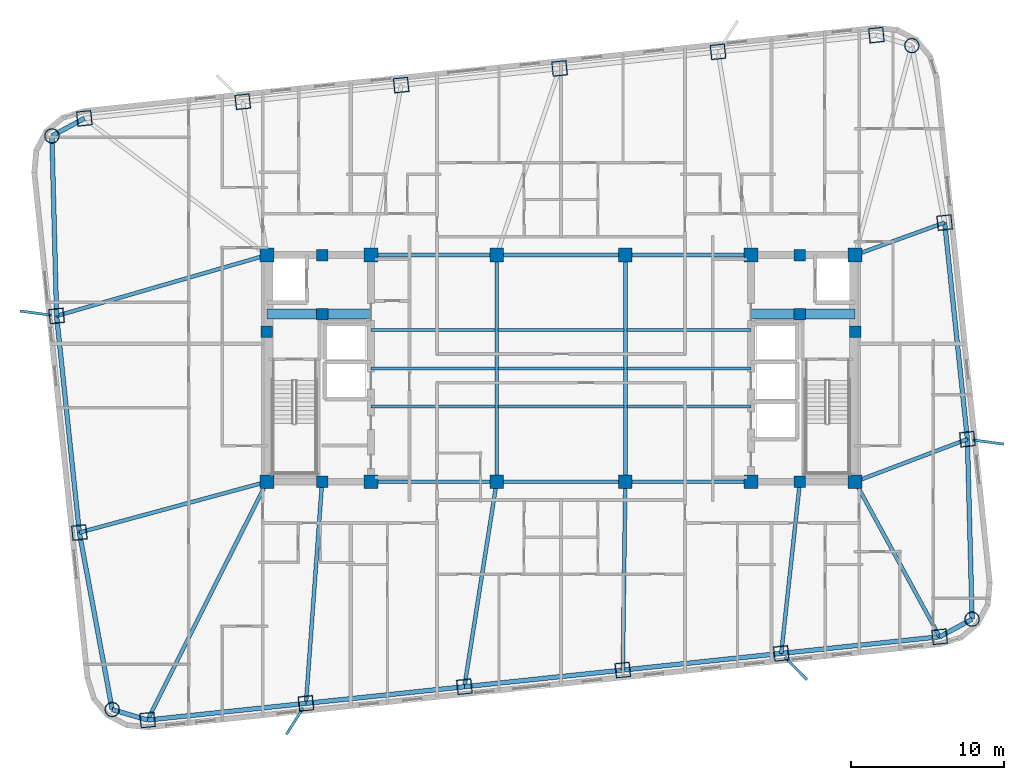
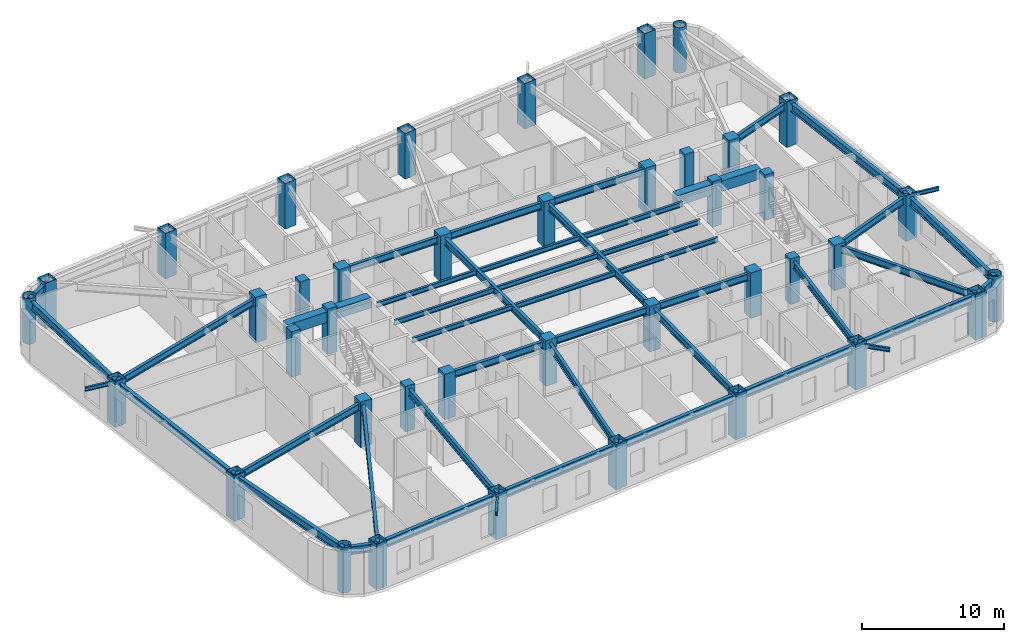
# One storey, part 1 of 12: 46 beams, 40 columns.
"""IFC4 building model written with IfcOpenShell, lengths in metres."""

import ifcopenshell
import ifcopenshell.guid

model = None  # the IFC model being written
_history = None  # IfcOwnerHistory: only IFC2X3 demands one
_inside = {}  # id of a spatial element -> (the spatial element, [elements in it])
_under = {}  # id of a project, library or spatial element -> (it, [spatial elements below it])
_declared = {}  # id of a project -> (the project, [libraries it declares])
_typed = {}  # id of a type object -> (the type object, [elements of that type])
_made_of = {}  # id of a material, layer set ... -> (it, [elements and type objects made of it])


def new_model(schema):
    """Start an empty IFC model of exactly this schema.

    Asked for "IFC4X3", IfcOpenShell would pick the latest addendum, in which some entities
    have other attributes; the version numbers below select the first issue.
    IFC2X3 requires an IfcOwnerHistory on every rooted entity: one is made here for all.
    """
    global model, _history
    if schema == "IFC4X3":
        model = ifcopenshell.file(schema_version=(4, 3, 0, 0))
    else:
        model = ifcopenshell.file(schema=schema)
    _inside.clear()
    _under.clear()
    _declared.clear()
    _typed.clear()
    _made_of.clear()
    _history = None
    if model.schema == "IFC2X3":
        org = make("IfcOrganization", Name="unknown")
        user = make(
            "IfcPersonAndOrganization",
            ThePerson=make("IfcPerson", FamilyName="unknown"),
            TheOrganization=org,
        )
        app = make(
            "IfcApplication",
            ApplicationDeveloper=org,
            Version="unknown",
            ApplicationFullName="unknown",
            ApplicationIdentifier="unknown",
        )
        _history = make(
            "IfcOwnerHistory",
            OwningUser=user,
            OwningApplication=app,
            ChangeAction="ADDED",
            CreationDate=0,
        )
    return model


def make(cls, **values):
    """One entity of the class cls with the attributes given. An attribute that is None is left unset."""
    return model.create_entity(
        cls, **{name: value for name, value in values.items() if value is not None}
    )


def rooted(cls, **values):
    """An entity with a GlobalId (a new one), such as an element, a storey or a relation."""
    return make(cls, GlobalId=ifcopenshell.guid.new(), OwnerHistory=_history, **values)


def si_unit(unit_type, name, prefix=None):
    """IfcSIUnit, for example si_unit("LENGTHUNIT", "METRE", prefix="MILLI")."""
    return make("IfcSIUnit", UnitType=unit_type, Prefix=prefix, Name=name)


def assignment(units):
    """IfcUnitAssignment: the units of a project."""
    return None if units is None else make("IfcUnitAssignment", Units=units)


def point(xyz):
    """IfcCartesianPoint."""
    return None if xyz is None else make("IfcCartesianPoint", Coordinates=xyz)


def direction(xyz):
    """IfcDirection."""
    return None if xyz is None else make("IfcDirection", DirectionRatios=xyz)


def frame(location, z_axis=None, x_axis=None):
    """IfcAxis2Placement3D, a coordinate frame: its origin and axes. An axis left out is left unset."""
    return make(
        "IfcAxis2Placement3D",
        Location=point(location),
        Axis=direction(z_axis),
        RefDirection=direction(x_axis),
    )


def frame_2d(location, x_axis=None):
    """IfcAxis2Placement2D, a coordinate frame in the plane: its origin and x axis."""
    return make(
        "IfcAxis2Placement2D", Location=point(location), RefDirection=direction(x_axis)
    )


def origin():
    """The frame at (0, 0, 0) with its axes left unset."""
    return frame((0.0, 0.0, 0.0))


def origin_2d():
    """The frame at (0, 0) in the plane with its x axis left unset."""
    return frame_2d((0.0, 0.0))


def place(relative_to, where):
    """IfcLocalPlacement: puts the frame where relative to a parent placement (None: the world)."""
    return make(
        "IfcLocalPlacement", PlacementRelTo=relative_to, RelativePlacement=where
    )


def context(
    kind, dimensions, precision=None, world=None, true_north=None, identifier=None
):
    """IfcGeometricRepresentationContext, for example the 3D "Model" context."""
    return make(
        "IfcGeometricRepresentationContext",
        ContextIdentifier=identifier,
        ContextType=kind,
        CoordinateSpaceDimension=dimensions,
        Precision=precision,
        WorldCoordinateSystem=world,
        TrueNorth=true_north,
    )


def subcontext(parent, identifier, kind, view, scale=None):
    """IfcGeometricRepresentationSubContext, for example "Body" below "Model"."""
    return make(
        "IfcGeometricRepresentationSubContext",
        ContextIdentifier=identifier,
        ContextType=kind,
        ParentContext=parent,
        TargetScale=scale,
        TargetView=view,
    )


def project(units=None, contexts=None):
    """IfcProject with its units and contexts."""
    return rooted(
        "IfcProject",
        Name="project",
        RepresentationContexts=contexts,
        UnitsInContext=assignment(units),
    )


def spatial(cls, under=None, at=None, **own):
    """A site, building, storey or space (cls), placed at a placement, below another one or the project."""
    s = rooted(cls, ObjectPlacement=at, **own)
    if under is not None:
        _under.setdefault(under.id(), (under, []))[1].append(s)
    return s


def profile(cls, at=None, kind="AREA", **sizes):
    """A parametric profile (cls). Its sizes go by their IFC names, for example OverallWidth=200.0."""
    return make(cls, ProfileType=kind, Position=at, **sizes)


def rectangle(**sizes):
    """IfcRectangleProfileDef."""
    return profile("IfcRectangleProfileDef", **sizes)


def hollow_rectangle(**sizes):
    """IfcRectangleHollowProfileDef."""
    return profile("IfcRectangleHollowProfileDef", **sizes)


def hollow_circle(**sizes):
    """IfcCircleHollowProfileDef."""
    return profile("IfcCircleHollowProfileDef", **sizes)


def i_section(**sizes):
    """IfcIShapeProfileDef."""
    return profile("IfcIShapeProfileDef", **sizes)


def extrude(swept, where, along, depth):
    """IfcExtrudedAreaSolid: the profile swept, set in the frame where, extruded along a direction by depth."""
    return make(
        "IfcExtrudedAreaSolid",
        SweptArea=swept,
        Position=where,
        ExtrudedDirection=direction(along),
        Depth=depth,
    )


def shape(context_of_items, identifier, shape_type, items):
    """IfcShapeRepresentation: the items that make up one representation, for example the "Body"."""
    return make(
        "IfcShapeRepresentation",
        ContextOfItems=context_of_items,
        RepresentationIdentifier=identifier,
        RepresentationType=shape_type,
        Items=items,
    )


def material(Name=None, Category=None):
    """IfcMaterial."""
    return make("IfcMaterial", Name=Name, Category=Category)


def material_profile(
    of_material, cross_section, Name=None, Category=None, Priority=None
):
    """IfcMaterialProfile: a cross section and its material."""
    return make(
        "IfcMaterialProfile",
        Name=Name,
        Material=of_material,
        Profile=cross_section,
        Priority=Priority,
        Category=Category,
    )


def profile_set(profiles, Name=None, composite=None):
    """IfcMaterialProfileSet."""
    return make(
        "IfcMaterialProfileSet",
        Name=Name,
        MaterialProfiles=profiles,
        CompositeProfile=composite,
    )


def made_of(thing, what):
    """Note that an element or type object is made of a material, layer set ...; save() writes the relation."""
    if what is not None:
        _made_of.setdefault(what.id(), (what, []))[1].append(thing)
    return thing


def type_object(cls, material=None, **own):
    """A type object (cls), such as IfcWallType, which elements share."""
    return made_of(rooted(cls, **own), material)


def element(
    cls,
    number,
    at=None,
    inside=None,
    cuts=None,
    type_object=None,
    material=None,
    context=None,
    identifier="Body",
    shape_type=None,
    held_by="IfcProductDefinitionShape",
    body=None,
    shapes=None,
    **own,
):
    """One element of the class cls, such as IfcWall. Its Tag is "e" and its number.

    at: its placement. inside: the storey or other place that contains it. cuts: it is an
    opening in that element (IfcRelVoidsElement). A single representation is given by context,
    identifier, shape_type and body (its items); several are given by shapes. held_by: the class
    of the entity that holds the representations. save() writes the other relations.
    """
    e = rooted(cls, Tag="e%d" % number, ObjectPlacement=at, **own)
    if body is not None:
        shapes = [shape(context, identifier, shape_type, body)]
    if shapes is not None:
        e.Representation = make(held_by, Representations=shapes)
    if inside is not None:
        _inside.setdefault(inside.id(), (inside, []))[1].append(e)
    if cuts is not None:
        rooted(
            "IfcRelVoidsElement", RelatingBuildingElement=cuts, RelatedOpeningElement=e
        )
    if type_object is not None:
        _typed.setdefault(type_object.id(), (type_object, []))[1].append(e)
    return made_of(e, material)


def aggregate(whole, parts):
    """IfcRelAggregates: a whole, such as a stair, and the parts it consists of."""
    return rooted("IfcRelAggregates", RelatingObject=whole, RelatedObjects=parts)


def save(model, path):
    """Write the relations noted so far, then the file.

    IfcRelAggregates (storeys below a building ...), IfcRelContainedInSpatialStructure (elements
    in a storey), IfcRelDefinesByType, IfcRelAssociatesMaterial and IfcRelDeclares: one each for
    every whole, place, type object, material and project.
    """
    for whole, parts in _under.values():
        aggregate(whole, parts)
    for where, things in _inside.values():
        rooted(
            "IfcRelContainedInSpatialStructure",
            RelatedElements=things,
            RelatingStructure=where,
        )
    for kind, things in _typed.values():
        rooted("IfcRelDefinesByType", RelatedObjects=things, RelatingType=kind)
    for what, things in _made_of.values():
        rooted("IfcRelAssociatesMaterial", RelatedObjects=things, RelatingMaterial=what)
    for by, libraries in _declared.values():
        rooted("IfcRelDeclares", RelatingContext=by, RelatedDefinitions=libraries)
    model.write(path)


model = new_model("IFC4")

# Units and contexts
model_context = context("Model", 3, precision=1e-05, world=origin(), true_north=direction((0.0, 1.0)))
body_context = subcontext(model_context, "Body", "Model", "MODEL_VIEW")
ifc_project = project(units=[si_unit("LENGTHUNIT", "METRE"), si_unit("AREAUNIT", "SQUARE_METRE"), si_unit("VOLUMEUNIT", "CUBIC_METRE"), si_unit("PLANEANGLEUNIT", "RADIAN"), si_unit("MASSUNIT", "GRAM", prefix="KILO")], contexts=[model_context])

# Site, building, storey
site_placement = place(None, origin())
site = spatial("IfcSite", under=ifc_project, at=site_placement, CompositionType="ELEMENT")
building_placement = place(site_placement, origin())
building = spatial("IfcBuilding", under=site, at=building_placement, Name="Voryun Gate Residences", CompositionType="ELEMENT")
storey_placement = place(building_placement, frame((0.0, 0.0, 167.699951171875)))
storey = spatial("IfcBuildingStorey", under=building, at=storey_placement, Name="L41", CompositionType="ELEMENT", Elevation=167.699951171875)

# Columns
ifc_material_1 = material(Name="Concrete C50/60", Category="concrete")
ifc_material_profile_1 = material_profile(ifc_material_1, rectangle(XDim=0.75, YDim=0.75, at=origin_2d()), Name="RC-750x750")
ifc_profile_set_1 = profile_set([ifc_material_profile_1], Name="Concrete C50/60")
column_type_1 = type_object("IfcColumnType", Name="COL_CORE_750", PredefinedType="COLUMN", material=ifc_profile_set_1)
for number, where, z_axis, x_axis, name in (
    (1, (-19.199951171875, 2.39990234375, 0.0), (0.0, 0.0, 1.0), (1.0, 0.0, 0.0), "L41 Core boundary column WC-MW"),
    (2, (-15.60009765625, -7.39990234375, 0.0), (0.0, 0.0, 1.0), (1.0, 0.0, 0.0), "L41 Core boundary column WC-SM"),
    (3, (-15.60009765625, 7.39990234375, 0.0), (0.0, 0.0, 1.0), (1.0, 0.0, 0.0), "L41 Core boundary column WC-NM"),
    (4, (-15.60009765625, 3.550048828125, 0.0), (0.0, 0.0, 1.0), (1.0, 0.0, 0.0), "L41 Core boundary column WC-MM"),
    (5, (15.60009765625, 3.550048828125, 0.0), (0.0, 0.0, 1.0), (1.0, 0.0, 0.0), "L41 Core boundary column EC-MM"),
    (6, (15.60009765625, -7.39990234375, 0.0), (0.0, 0.0, 1.0), (1.0, 0.0, 0.0), "L41 Core boundary column EC-SM"),
    (7, (15.60009765625, 7.39990234375, 0.0), (0.0, 0.0, 1.0), (1.0, 0.0, 0.0), "L41 Core boundary column EC-NM"),
    (8, (19.199951171875, 2.39990234375, 0.0), (0.0, 0.0, 1.0), (1.0, 0.0, 0.0), "L41 Core boundary column EC-ME"),
):
    element("IfcColumn", number, at=place(storey_placement, frame(where, z_axis=z_axis, x_axis=x_axis)), inside=storey, type_object=column_type_1, Name=name, PredefinedType="COLUMN", context=body_context, shape_type="SweptSolid", body=[
        extrude(rectangle(XDim=0.75, YDim=0.75, at=origin_2d()), origin(), (0.0, 0.0, 1.0), 3.900146484375),
    ])
ifc_material_2 = material(Name="Concrete C50/60", Category="concrete")
ifc_material_profile_2 = material_profile(ifc_material_2, rectangle(XDim=0.89990234375, YDim=0.89990234375, at=origin_2d()), Name="RC-900x900")
ifc_profile_set_2 = profile_set([ifc_material_profile_2], Name="Concrete C50/60")
column_type_2 = type_object("IfcColumnType", Name="COL_CORE_900", PredefinedType="COLUMN", material=ifc_profile_set_2)
for number, where, z_axis, x_axis, name in (
    (9, (-19.199951171875, -7.39990234375, 0.0), (0.0, 0.0, 1.0), (1.0, 0.0, 0.0), "L41 Core boundary column WC-SW"),
    (10, (-19.199951171875, 7.39990234375, 0.0), (0.0, 0.0, 1.0), (1.0, 0.0, 0.0), "L41 Core boundary column WC-NW"),
    (11, (-12.39990234375, -7.39990234375, 0.0), (0.0, 0.0, 1.0), (1.0, 0.0, 0.0), "L41 Core boundary column WC-SE"),
    (12, (-12.39990234375, 7.39990234375, 0.0), (0.0, 0.0, 1.0), (1.0, 0.0, 0.0), "L41 Core boundary column WC-NE"),
    (13, (12.39990234375, -7.39990234375, 0.0), (0.0, 0.0, 1.0), (1.0, 0.0, 0.0), "L41 Core boundary column EC-SW"),
    (14, (12.39990234375, 7.39990234375, 0.0), (0.0, 0.0, 1.0), (1.0, 0.0, 0.0), "L41 Core boundary column EC-NW"),
    (15, (19.199951171875, -7.39990234375, 0.0), (0.0, 0.0, 1.0), (1.0, 0.0, 0.0), "L41 Core boundary column EC-SE"),
    (16, (19.199951171875, 7.39990234375, 0.0), (0.0, 0.0, 1.0), (1.0, 0.0, 0.0), "L41 Core boundary column EC-NE"),
    (17, (-4.199951171875, -7.39990234375, 0.0), (0.0, 0.0, 1.0), (1.0, 0.0, 0.0), "L41 Interior spine column SP-WS"),
    (18, (-4.199951171875, 7.39990234375, 0.0), (0.0, 0.0, 1.0), (1.0, 0.0, 0.0), "L41 Interior spine column SP-WN"),
    (19, (4.199951171875, -7.39990234375, 0.0), (0.0, 0.0, 1.0), (1.0, 0.0, 0.0), "L41 Interior spine column SP-ES"),
    (20, (4.199951171875, 7.39990234375, 0.0), (0.0, 0.0, 1.0), (1.0, 0.0, 0.0), "L41 Interior spine column SP-EN"),
):
    element("IfcColumn", number, at=place(storey_placement, frame(where, z_axis=z_axis, x_axis=x_axis)), inside=storey, type_object=column_type_2, Name=name, PredefinedType="COLUMN", context=body_context, shape_type="SweptSolid", body=[
        extrude(rectangle(XDim=0.89990234375, YDim=0.89990234375, at=origin_2d()), origin(), (0.0, 0.0, 1.0), 3.900146484375),
    ])
ifc_material_3 = material(Name="Steel SM420", Category="steel")
ifc_material_profile_3 = material_profile(ifc_material_3, hollow_circle(Radius=0.47509765625, WallThickness=0.031982421875, at=origin_2d()), Name="CHS-950x32")
ifc_profile_set_3 = profile_set([ifc_material_profile_3], Name="Steel SM420")
column_type_3 = type_object("IfcColumnType", Name="COL_CRN_950", PredefinedType="COLUMN", material=ifc_profile_set_3)
for number, where, z_axis, x_axis, name in (
    (21, (26.8408203125, -16.373779296875, 0.0), (0.0, 0.0, 1.0), (0.994521895368, 0.104528463268, 0.0), "L41 Exoskeleton column CSE"),
    (22, (22.90478515625, 21.07470703125, 0.0), (0.0, 0.0, 1.0), (0.994521895368, 0.104528463268, 0.0), "L41 Exoskeleton column CNE"),
    (23, (-33.24072265625, 15.173583984375, 0.0), (0.0, 0.0, 1.0), (0.994521895368, 0.104528463268, 0.0), "L41 Exoskeleton column CNW"),
    (24, (-29.3046875, -22.27490234375, 0.0), (0.0, 0.0, 1.0), (0.994521895368, 0.104528463268, 0.0), "L41 Exoskeleton column CSW"),
):
    element("IfcColumn", number, at=place(storey_placement, frame(where, z_axis=z_axis, x_axis=x_axis)), inside=storey, type_object=column_type_3, Name=name, PredefinedType="COLUMN", context=body_context, shape_type="SweptSolid", body=[
        extrude(hollow_circle(Radius=0.47509765625, WallThickness=0.031982421875, at=origin_2d()), origin(), (0.0, 0.0, 1.0), 3.900146484375),
    ])
ifc_material_4 = material(Name="Steel SM420", Category="steel")
ifc_material_profile_4 = material_profile(ifc_material_4, hollow_rectangle(XDim=0.949951171875, YDim=0.949951171875, WallThickness=0.031982421875, at=origin_2d()), Name="BOX-950x950x32")
ifc_profile_set_4 = profile_set([ifc_material_profile_4], Name="Steel SM420")
column_type_4 = type_object("IfcColumnType", Name="COL_EXO_B3", PredefinedType="COLUMN", material=ifc_profile_set_4)
for number, where, z_axis, x_axis, name in (
    (25, (-26.9931640625, -22.95947265625, 0.0), (0.0, 0.0, 1.0), (0.994521895368, 0.104528463268, 0.0), "L41 Exoskeleton column S1"),
    (26, (-16.650146484375, -21.87255859375, 0.0), (0.0, 0.0, 1.0), (0.994521895368, 0.104528463268, 0.0), "L41 Exoskeleton column S2"),
    (27, (-6.30712890625, -20.785400390625, 0.0), (0.0, 0.0, 1.0), (0.994521895368, 0.104528463268, 0.0), "L41 Exoskeleton column S3"),
    (28, (4.035888671875, -19.6982421875, 0.0), (0.0, 0.0, 1.0), (0.994521895368, 0.104528463268, 0.0), "L41 Exoskeleton column S4"),
    (29, (14.37890625, -18.611083984375, 0.0), (0.0, 0.0, 1.0), (0.994521895368, 0.104528463268, 0.0), "L41 Exoskeleton column S5"),
    (30, (24.721923828125, -17.524169921875, 0.0), (0.0, 0.0, 1.0), (0.994521895368, 0.104528463268, 0.0), "L41 Exoskeleton column S6"),
    (31, (26.533447265625, -4.6240234375, 0.0), (0.0, 0.0, 1.0), (0.994521895368, 0.104528463268, 0.0), "L41 Exoskeleton column E1"),
    (32, (25.047119140625, 9.51806640625, 0.0), (0.0, 0.0, 1.0), (0.994521895368, 0.104528463268, 0.0), "L41 Exoskeleton column E2"),
    (33, (20.593017578125, 21.759521484375, 0.0), (0.0, 0.0, 1.0), (0.994521895368, 0.104528463268, 0.0), "L41 Exoskeleton column N1"),
    (34, (10.25, 20.67236328125, 0.0), (0.0, 0.0, 1.0), (0.994521895368, 0.104528463268, 0.0), "L41 Exoskeleton column N2"),
    (35, (-0.093017578125, 19.58544921875, 0.0), (0.0, 0.0, 1.0), (0.994521895368, 0.104528463268, 0.0), "L41 Exoskeleton column N3"),
    (36, (-10.43603515625, 18.498291015625, 0.0), (0.0, 0.0, 1.0), (0.994521895368, 0.104528463268, 0.0), "L41 Exoskeleton column N4"),
    (37, (-20.779052734375, 17.4111328125, 0.0), (0.0, 0.0, 1.0), (0.994521895368, 0.104528463268, 0.0), "L41 Exoskeleton column N5"),
    (38, (-31.1220703125, 16.323974609375, 0.0), (0.0, 0.0, 1.0), (0.994521895368, 0.104528463268, 0.0), "L41 Exoskeleton column N6"),
    (39, (-32.93359375, 3.424072265625, 0.0), (0.0, 0.0, 1.0), (0.994521895368, 0.104528463268, 0.0), "L41 Exoskeleton column W1"),
    (40, (-31.447021484375, -10.718017578125, 0.0), (0.0, 0.0, 1.0), (0.994521895368, 0.104528463268, 0.0), "L41 Exoskeleton column W2"),
):
    element("IfcColumn", number, at=place(storey_placement, frame(where, z_axis=z_axis, x_axis=x_axis)), inside=storey, type_object=column_type_4, Name=name, PredefinedType="COLUMN", context=body_context, shape_type="SweptSolid", body=[
        extrude(hollow_rectangle(XDim=0.949951171875, YDim=0.949951171875, WallThickness=0.031982421875, at=origin_2d()), origin(), (0.0, 0.0, 1.0), 3.900146484375),
    ])

# Beams
ifc_material_5 = material(Name="Steel SM355", Category="steel")
ifc_material_profile_5 = material_profile(ifc_material_5, i_section(OverallWidth=0.169921875, OverallDepth=0.340087890625, WebThickness=0.008056640625, FlangeThickness=0.013916015625, FilletRadius=0.01806640625, at=origin_2d()), Name="H-340x170x8x14")
ifc_profile_set_5 = profile_set([ifc_material_profile_5], Name="Steel SM355")
beam_type_1 = type_object("IfcBeamType", Name="BM_BALC_EDGE", PredefinedType="JOIST", material=ifc_profile_set_5)
beam_1_placement = place(storey_placement, frame((-16.837158203125, -22.168212890625, 3.47998046875), z_axis=(-0.534391732666, -0.845236934864, 0.0), x_axis=(0.845236934864, -0.534391732666, 0.0)))
element("IfcBeam", 41, at=beam_1_placement, inside=storey, type_object=beam_type_1, Name="BM-L41-BALBRK-S2", PredefinedType="JOIST", context=body_context, shape_type="SweptSolid", body=[
    extrude(i_section(OverallWidth=0.169921875, OverallDepth=0.340087890625, WebThickness=0.008056640625, FlangeThickness=0.013916015625, FilletRadius=0.01806640625, at=origin_2d()), origin(), (0.0, 0.0, 1.0), 2.0498046875),
])
for number, where, z_axis, x_axis, name in (
    (42, (14.62353515625, -18.861572265625, 3.47998046875), (0.698480097279, -0.715629480741, 0.0), (0.715629480741, 0.698480097279, 0.0), "BM-L41-BALBRK-S5"),
    (43, (26.88037109375, -4.6708984375, 3.47998046875), (0.990968065867, -0.134098070204, 0.0), (0.134098070204, 0.990968065867, 0.0), "BM-L41-BALBRK-E1"),
    (44, (-33.2802734375, 3.470947265625, 3.47998046875), (-0.990968065867, 0.134098070204, 0.0), (-0.134098070204, -0.990968065867, 0.0), "BM-L41-BALBRK-W1"),
):
    element("IfcBeam", number, at=place(storey_placement, frame(where, z_axis=z_axis, x_axis=x_axis)), inside=storey, type_object=beam_type_1, Name=name, PredefinedType="JOIST", context=body_context, shape_type="SweptSolid", body=[
        extrude(i_section(OverallWidth=0.169921875, OverallDepth=0.340087890625, WebThickness=0.008056640625, FlangeThickness=0.013916015625, FilletRadius=0.01806640625, at=origin_2d()), origin(), (0.0, 0.0, 1.0), 2.050048828125),
    ])
ifc_material_6 = material(Name="Concrete C60/75", Category="concrete")
ifc_material_profile_6 = material_profile(ifc_material_6, rectangle(XDim=0.64990234375, YDim=0.89990234375, at=origin_2d()), Name="RC-650x900")
ifc_profile_set_6 = profile_set([ifc_material_profile_6], Name="Concrete C60/75")
beam_type_2 = type_object("IfcBeamType", Name="BM_COUP_RC900", PredefinedType="LINTEL", material=ifc_profile_set_6)
for number, where, z_axis, x_axis, name in (
    (45, (-19.199951171875, 3.550048828125, 3.199951171875), (1.0, 0.0, 0.0), (0.0, 1.0, 0.0), "BM-L41-WC1"),
    (46, (12.39990234375, 3.550048828125, 3.199951171875), (1.0, 0.0, 0.0), (0.0, 1.0, 0.0), "BM-L41-EC1"),
):
    element("IfcBeam", number, at=place(storey_placement, frame(where, z_axis=z_axis, x_axis=x_axis)), inside=storey, type_object=beam_type_2, Name=name, PredefinedType="LINTEL", context=body_context, shape_type="SweptSolid", body=[
        extrude(rectangle(XDim=0.64990234375, YDim=0.89990234375, at=origin_2d()), origin(), (0.0, 0.0, 1.0), 6.800048828125),
    ])
ifc_material_7 = material(Name="Steel SM355", Category="steel")
ifc_material_profile_7 = material_profile(ifc_material_7, i_section(OverallWidth=0.300048828125, OverallDepth=0.679931640625, WebThickness=0.013916015625, FlangeThickness=0.02490234375, FilletRadius=0.01806640625, at=origin_2d()), Name="H-680x300x14x25")
ifc_profile_set_7 = profile_set([ifc_material_profile_7], Name="Steel SM355")
beam_type_3 = type_object("IfcBeamType", Name="BM_EXO_SPANDREL_M", PredefinedType="SPANDREL", material=ifc_profile_set_7)
for number, where, z_axis, x_axis, name in (
    (47, (-26.9931640625, -22.95947265625, 3.31005859375), (0.99452370336, 0.10451125994, 0.0), (-0.10451125994, 0.99452370336, 0.0), "BM-L41-SPAND-01"),
    (48, (-16.650146484375, -21.87255859375, 3.31005859375), (0.994521263116, 0.104534478571, 0.0), (-0.104534478571, 0.994521263116, 0.0), "BM-L41-SPAND-02"),
    (49, (-6.30712890625, -20.785400390625, 3.31005859375), (0.994521263116, 0.104534478571, 0.0), (-0.104534478571, 0.994521263116, 0.0), "BM-L41-SPAND-03"),
    (50, (4.035888671875, -19.6982421875, 3.31005859375), (0.994521263116, 0.104534478571, 0.0), (-0.104534478571, 0.994521263116, 0.0), "BM-L41-SPAND-04"),
    (51, (14.37890625, -18.611083984375, 3.31005859375), (0.99452370336, 0.10451125994, 0.0), (-0.10451125994, 0.99452370336, 0.0), "BM-L41-SPAND-05"),
):
    element("IfcBeam", number, at=place(storey_placement, frame(where, z_axis=z_axis, x_axis=x_axis)), inside=storey, type_object=beam_type_3, Name=name, PredefinedType="SPANDREL", context=body_context, shape_type="SweptSolid", body=[
        extrude(i_section(OverallWidth=0.300048828125, OverallDepth=0.679931640625, WebThickness=0.013916015625, FlangeThickness=0.02490234375, FilletRadius=0.01806640625, at=origin_2d()), origin(), (0.0, 0.0, 1.0), 10.39990234375),
    ])
beam_2_placement = place(storey_placement, frame((24.721923828125, -17.524169921875, 3.31005859375), z_axis=(0.878830382314, 0.477134319791, 0.0), x_axis=(-0.477134319791, 0.878830382314, 0.0)))
element("IfcBeam", 52, at=beam_2_placement, inside=storey, type_object=beam_type_3, Name="BM-L41-SPAND-06", PredefinedType="SPANDREL", context=body_context, shape_type="SweptSolid", body=[
    extrude(i_section(OverallWidth=0.300048828125, OverallDepth=0.679931640625, WebThickness=0.013916015625, FlangeThickness=0.02490234375, FilletRadius=0.01806640625, at=origin_2d()), origin(), (0.0, 0.0, 1.0), 2.4111328125),
])
beam_3_placement = place(storey_placement, frame((26.8408203125, -16.373779296875, 3.31005859375), z_axis=(-0.026151005195, 0.999658003983, 0.0), x_axis=(-0.999658003983, -0.026151005195, 0.0)))
element("IfcBeam", 53, at=beam_3_placement, inside=storey, type_object=beam_type_3, Name="BM-L41-SPAND-07", PredefinedType="SPANDREL", context=body_context, shape_type="SweptSolid", body=[
    extrude(i_section(OverallWidth=0.300048828125, OverallDepth=0.679931640625, WebThickness=0.013916015625, FlangeThickness=0.02490234375, FilletRadius=0.01806640625, at=origin_2d()), origin(), (0.0, 0.0, 1.0), 11.753662109375),
])
beam_4_placement = place(storey_placement, frame((26.533447265625, -4.6240234375, 3.31005859375), z_axis=(-0.104523913446, 0.994522373563, 0.0), x_axis=(-0.994522373563, -0.104523913446, 0.0)))
element("IfcBeam", 54, at=beam_4_placement, inside=storey, type_object=beam_type_3, Name="BM-L41-SPAND-08", PredefinedType="SPANDREL", context=body_context, shape_type="SweptSolid", body=[
    extrude(i_section(OverallWidth=0.300048828125, OverallDepth=0.679931640625, WebThickness=0.013916015625, FlangeThickness=0.02490234375, FilletRadius=0.01806640625, at=origin_2d()), origin(), (0.0, 0.0, 1.0), 14.219970703125),
])
beam_5_placement = place(storey_placement, frame((-31.1220703125, 16.323974609375, 3.31005859375), z_axis=(-0.878807326808, -0.47717678312, 0.0), x_axis=(0.47717678312, -0.878807326808, 0.0)))
element("IfcBeam", 55, at=beam_5_placement, inside=storey, type_object=beam_type_3, Name="BM-L41-SPAND-16", PredefinedType="SPANDREL", context=body_context, shape_type="SweptSolid", body=[
    extrude(i_section(OverallWidth=0.300048828125, OverallDepth=0.679931640625, WebThickness=0.013916015625, FlangeThickness=0.02490234375, FilletRadius=0.01806640625, at=origin_2d()), origin(), (0.0, 0.0, 1.0), 2.410888671875),
])
beam_6_placement = place(storey_placement, frame((-33.24072265625, 15.173583984375, 3.31005859375), z_axis=(0.026130790716, -0.999658532588, 0.0), x_axis=(0.999658532588, 0.026130790716, 0.0)))
element("IfcBeam", 56, at=beam_6_placement, inside=storey, type_object=beam_type_3, Name="BM-L41-SPAND-17", PredefinedType="SPANDREL", context=body_context, shape_type="SweptSolid", body=[
    extrude(i_section(OverallWidth=0.300048828125, OverallDepth=0.679931640625, WebThickness=0.013916015625, FlangeThickness=0.02490234375, FilletRadius=0.01806640625, at=origin_2d()), origin(), (0.0, 0.0, 1.0), 11.75341796875),
])
beam_7_placement = place(storey_placement, frame((-32.93359375, 3.424072265625, 3.31005859375), z_axis=(0.104540894669, -0.994520588697, 0.0), x_axis=(0.994520588697, 0.104540894669, 0.0)))
element("IfcBeam", 57, at=beam_7_placement, inside=storey, type_object=beam_type_3, Name="BM-L41-SPAND-18", PredefinedType="SPANDREL", context=body_context, shape_type="SweptSolid", body=[
    extrude(i_section(OverallWidth=0.300048828125, OverallDepth=0.679931640625, WebThickness=0.013916015625, FlangeThickness=0.02490234375, FilletRadius=0.01806640625, at=origin_2d()), origin(), (0.0, 0.0, 1.0), 14.219970703125),
])
beam_8_placement = place(storey_placement, frame((-31.447021484375, -10.718017578125, 3.31005859375), z_axis=(0.182267768769, -0.983248931079, 0.0), x_axis=(0.983248931079, 0.182267768769, 0.0)))
element("IfcBeam", 58, at=beam_8_placement, inside=storey, type_object=beam_type_3, Name="BM-L41-SPAND-19", PredefinedType="SPANDREL", context=body_context, shape_type="SweptSolid", body=[
    extrude(i_section(OverallWidth=0.300048828125, OverallDepth=0.679931640625, WebThickness=0.013916015625, FlangeThickness=0.02490234375, FilletRadius=0.01806640625, at=origin_2d()), origin(), (0.0, 0.0, 1.0), 11.753662109375),
])
beam_9_placement = place(storey_placement, frame((-29.3046875, -22.27490234375, 3.31005859375), z_axis=(0.958834884093, -0.283964196768, 0.0), x_axis=(0.283964196768, 0.958834884093, 0.0)))
element("IfcBeam", 59, at=beam_9_placement, inside=storey, type_object=beam_type_3, Name="BM-L41-SPAND-20", PredefinedType="SPANDREL", context=body_context, shape_type="SweptSolid", body=[
    extrude(i_section(OverallWidth=0.300048828125, OverallDepth=0.679931640625, WebThickness=0.013916015625, FlangeThickness=0.02490234375, FilletRadius=0.01806640625, at=origin_2d()), origin(), (0.0, 0.0, 1.0), 2.41064453125),
])
ifc_material_8 = material(Name="Steel SM355", Category="steel")
ifc_material_profile_8 = material_profile(ifc_material_8, i_section(OverallWidth=0.25, OverallDepth=0.60009765625, WebThickness=0.011962890625, FlangeThickness=0.02197265625, FilletRadius=0.01806640625, at=origin_2d()), Name="H-600x250x12x22")
ifc_profile_set_8 = profile_set([ifc_material_profile_8], Name="Steel SM355")
beam_type_4 = type_object("IfcBeamType", Name="BM_GIRD_600", PredefinedType="USERDEFINED", material=ifc_profile_set_8)
beam_10_placement = place(storey_placement, frame((-12.39990234375, -7.39990234375, 3.35009765625), z_axis=(1.0, 0.0, 0.0), x_axis=(0.0, 1.0, 0.0)))
element("IfcBeam", 60, at=beam_10_placement, inside=storey, type_object=beam_type_4, Name="BM-L41-SPG1-S", ObjectType="GIRDER", PredefinedType="USERDEFINED", context=body_context, shape_type="SweptSolid", body=[
    extrude(i_section(OverallWidth=0.25, OverallDepth=0.60009765625, WebThickness=0.011962890625, FlangeThickness=0.02197265625, FilletRadius=0.01806640625, at=origin_2d()), origin(), (0.0, 0.0, 1.0), 8.199951171875),
])
beam_11_placement = place(storey_placement, frame((-4.199951171875, -7.39990234375, 3.35009765625), z_axis=(1.0, 0.0, 0.0), x_axis=(0.0, 1.0, 0.0)))
element("IfcBeam", 61, at=beam_11_placement, inside=storey, type_object=beam_type_4, Name="BM-L41-SPG2-S", ObjectType="GIRDER", PredefinedType="USERDEFINED", context=body_context, shape_type="SweptSolid", body=[
    extrude(i_section(OverallWidth=0.25, OverallDepth=0.60009765625, WebThickness=0.011962890625, FlangeThickness=0.02197265625, FilletRadius=0.01806640625, at=origin_2d()), origin(), (0.0, 0.0, 1.0), 8.39990234375),
])
for number, where, z_axis, x_axis, name in (
    (62, (4.199951171875, -7.39990234375, 3.35009765625), (1.0, 0.0, 0.0), (0.0, 1.0, 0.0), "BM-L41-SPG3-S"),
    (63, (-12.39990234375, 7.39990234375, 3.35009765625), (1.0, 0.0, 0.0), (0.0, 1.0, 0.0), "BM-L41-SPG1-N"),
):
    element("IfcBeam", number, at=place(storey_placement, frame(where, z_axis=z_axis, x_axis=x_axis)), inside=storey, type_object=beam_type_4, Name=name, ObjectType="GIRDER", PredefinedType="USERDEFINED", context=body_context, shape_type="SweptSolid", body=[
        extrude(i_section(OverallWidth=0.25, OverallDepth=0.60009765625, WebThickness=0.011962890625, FlangeThickness=0.02197265625, FilletRadius=0.01806640625, at=origin_2d()), origin(), (0.0, 0.0, 1.0), 8.199951171875),
    ])
beam_12_placement = place(storey_placement, frame((-4.199951171875, 7.39990234375, 3.35009765625), z_axis=(1.0, 0.0, 0.0), x_axis=(0.0, 1.0, 0.0)))
element("IfcBeam", 64, at=beam_12_placement, inside=storey, type_object=beam_type_4, Name="BM-L41-SPG2-N", ObjectType="GIRDER", PredefinedType="USERDEFINED", context=body_context, shape_type="SweptSolid", body=[
    extrude(i_section(OverallWidth=0.25, OverallDepth=0.60009765625, WebThickness=0.011962890625, FlangeThickness=0.02197265625, FilletRadius=0.01806640625, at=origin_2d()), origin(), (0.0, 0.0, 1.0), 8.39990234375),
])
beam_13_placement = place(storey_placement, frame((4.199951171875, 7.39990234375, 3.35009765625), z_axis=(1.0, 0.0, 0.0), x_axis=(0.0, 1.0, 0.0)))
element("IfcBeam", 65, at=beam_13_placement, inside=storey, type_object=beam_type_4, Name="BM-L41-SPG3-N", ObjectType="GIRDER", PredefinedType="USERDEFINED", context=body_context, shape_type="SweptSolid", body=[
    extrude(i_section(OverallWidth=0.25, OverallDepth=0.60009765625, WebThickness=0.011962890625, FlangeThickness=0.02197265625, FilletRadius=0.01806640625, at=origin_2d()), origin(), (0.0, 0.0, 1.0), 8.199951171875),
])
for number, where, z_axis, x_axis, name in (
    (66, (-4.199951171875, -7.39990234375, 3.35009765625), (0.0, 1.0, 0.0), (-1.0, 0.0, 0.0), "BM-L41-SPX-W"),
    (67, (4.199951171875, -7.39990234375, 3.35009765625), (0.0, 1.0, 0.0), (-1.0, 0.0, 0.0), "BM-L41-SPX-E"),
):
    element("IfcBeam", number, at=place(storey_placement, frame(where, z_axis=z_axis, x_axis=x_axis)), inside=storey, type_object=beam_type_4, Name=name, ObjectType="GIRDER", PredefinedType="USERDEFINED", context=body_context, shape_type="SweptSolid", body=[
        extrude(i_section(OverallWidth=0.25, OverallDepth=0.60009765625, WebThickness=0.011962890625, FlangeThickness=0.02197265625, FilletRadius=0.01806640625, at=origin_2d()), origin(), (0.0, 0.0, 1.0), 14.7998046875),
    ])
beam_14_placement = place(storey_placement, frame((-19.199951171875, -7.39990234375, 3.35009765625), z_axis=(-0.447830780254, -0.894118332357, 0.0), x_axis=(0.894118332357, -0.447830780254, 0.0)))
element("IfcBeam", 68, at=beam_14_placement, inside=storey, type_object=beam_type_4, Name="BM-L41-RAD-S1", ObjectType="GIRDER", PredefinedType="USERDEFINED", context=body_context, shape_type="SweptSolid", body=[
    extrude(i_section(OverallWidth=0.25, OverallDepth=0.60009765625, WebThickness=0.011962890625, FlangeThickness=0.02197265625, FilletRadius=0.01806640625, at=origin_2d()), origin(), (0.0, 0.0, 1.0), 17.402099609375),
])
beam_15_placement = place(storey_placement, frame((-15.60009765625, -7.39990234375, 3.35009765625), z_axis=(-0.072363766769, -0.99737830599, 0.0), x_axis=(0.99737830599, -0.072363766769, 0.0)))
element("IfcBeam", 69, at=beam_15_placement, inside=storey, type_object=beam_type_4, Name="BM-L41-RAD-S2", ObjectType="GIRDER", PredefinedType="USERDEFINED", context=body_context, shape_type="SweptSolid", body=[
    extrude(i_section(OverallWidth=0.25, OverallDepth=0.60009765625, WebThickness=0.011962890625, FlangeThickness=0.02197265625, FilletRadius=0.01806640625, at=origin_2d()), origin(), (0.0, 0.0, 1.0), 14.5107421875),
])
beam_16_placement = place(storey_placement, frame((-4.199951171875, -7.39990234375, 3.35009765625), z_axis=(-0.155507352157, -0.987834734875, 0.0), x_axis=(0.987834734875, -0.155507352157, 0.0)))
element("IfcBeam", 70, at=beam_16_placement, inside=storey, type_object=beam_type_4, Name="BM-L41-RAD-S3", ObjectType="GIRDER", PredefinedType="USERDEFINED", context=body_context, shape_type="SweptSolid", body=[
    extrude(i_section(OverallWidth=0.25, OverallDepth=0.60009765625, WebThickness=0.011962890625, FlangeThickness=0.02197265625, FilletRadius=0.01806640625, at=origin_2d()), origin(), (0.0, 0.0, 1.0), 13.55029296875),
])
beam_17_placement = place(storey_placement, frame((4.199951171875, -7.39990234375, 3.35009765625), z_axis=(-0.013339028327, -0.999911031204, 0.0), x_axis=(0.999911031204, -0.013339028327, 0.0)))
element("IfcBeam", 71, at=beam_17_placement, inside=storey, type_object=beam_type_4, Name="BM-L41-RAD-S4", ObjectType="GIRDER", PredefinedType="USERDEFINED", context=body_context, shape_type="SweptSolid", body=[
    extrude(i_section(OverallWidth=0.25, OverallDepth=0.60009765625, WebThickness=0.011962890625, FlangeThickness=0.02197265625, FilletRadius=0.01806640625, at=origin_2d()), origin(), (0.0, 0.0, 1.0), 12.29931640625),
])
beam_18_placement = place(storey_placement, frame((15.60009765625, -7.39990234375, 3.35009765625), z_axis=(-0.108285693252, -0.994119816037, 0.0), x_axis=(0.994119816037, -0.108285693252, 0.0)))
element("IfcBeam", 72, at=beam_18_placement, inside=storey, type_object=beam_type_4, Name="BM-L41-RAD-S5", ObjectType="GIRDER", PredefinedType="USERDEFINED", context=body_context, shape_type="SweptSolid", body=[
    extrude(i_section(OverallWidth=0.25, OverallDepth=0.60009765625, WebThickness=0.011962890625, FlangeThickness=0.02197265625, FilletRadius=0.01806640625, at=origin_2d()), origin(), (0.0, 0.0, 1.0), 11.277587890625),
])
beam_19_placement = place(storey_placement, frame((19.199951171875, -7.39990234375, 3.35009765625), z_axis=(0.478828398266, -0.877908517451, 0.0), x_axis=(0.877908517451, 0.478828398266, 0.0)))
element("IfcBeam", 73, at=beam_19_placement, inside=storey, type_object=beam_type_4, Name="BM-L41-RAD-S6", ObjectType="GIRDER", PredefinedType="USERDEFINED", context=body_context, shape_type="SweptSolid", body=[
    extrude(i_section(OverallWidth=0.25, OverallDepth=0.60009765625, WebThickness=0.011962890625, FlangeThickness=0.02197265625, FilletRadius=0.01806640625, at=origin_2d()), origin(), (0.0, 0.0, 1.0), 11.5322265625),
])
beam_20_placement = place(storey_placement, frame((19.199951171875, -7.39990234375, 3.35009765625), z_axis=(0.93524224301, 0.354008399462, 0.0), x_axis=(-0.354008399462, 0.93524224301, 0.0)))
element("IfcBeam", 74, at=beam_20_placement, inside=storey, type_object=beam_type_4, Name="BM-L41-RAD-E1", ObjectType="GIRDER", PredefinedType="USERDEFINED", context=body_context, shape_type="SweptSolid", body=[
    extrude(i_section(OverallWidth=0.25, OverallDepth=0.60009765625, WebThickness=0.011962890625, FlangeThickness=0.02197265625, FilletRadius=0.01806640625, at=origin_2d()), origin(), (0.0, 0.0, 1.0), 7.84130859375),
])
beam_21_placement = place(storey_placement, frame((19.199951171875, 7.39990234375, 3.35009765625), z_axis=(0.94020993833, 0.340595466595, 0.0), x_axis=(-0.340595466595, 0.94020993833, 0.0)))
element("IfcBeam", 75, at=beam_21_placement, inside=storey, type_object=beam_type_4, Name="BM-L41-RAD-E2", ObjectType="GIRDER", PredefinedType="USERDEFINED", context=body_context, shape_type="SweptSolid", body=[
    extrude(i_section(OverallWidth=0.25, OverallDepth=0.60009765625, WebThickness=0.011962890625, FlangeThickness=0.02197265625, FilletRadius=0.01806640625, at=origin_2d()), origin(), (0.0, 0.0, 1.0), 6.218994140625),
])
beam_22_placement = place(storey_placement, frame((-19.199951171875, 7.39990234375, 3.35009765625), z_axis=(-0.960558623239, -0.278077563498, 0.0), x_axis=(0.278077563498, -0.960558623239, 0.0)))
element("IfcBeam", 76, at=beam_22_placement, inside=storey, type_object=beam_type_4, Name="BM-L41-RAD-W1", ObjectType="GIRDER", PredefinedType="USERDEFINED", context=body_context, shape_type="SweptSolid", body=[
    extrude(i_section(OverallWidth=0.25, OverallDepth=0.60009765625, WebThickness=0.011962890625, FlangeThickness=0.02197265625, FilletRadius=0.01806640625, at=origin_2d()), origin(), (0.0, 0.0, 1.0), 14.297607421875),
])
beam_23_placement = place(storey_placement, frame((-19.199951171875, -7.39990234375, 3.35009765625), z_axis=(-0.965202497616, -0.261503611058, 0.0), x_axis=(0.261503611058, -0.965202497616, 0.0)))
element("IfcBeam", 77, at=beam_23_placement, inside=storey, type_object=beam_type_4, Name="BM-L41-RAD-W2", ObjectType="GIRDER", PredefinedType="USERDEFINED", context=body_context, shape_type="SweptSolid", body=[
    extrude(i_section(OverallWidth=0.25, OverallDepth=0.60009765625, WebThickness=0.011962890625, FlangeThickness=0.02197265625, FilletRadius=0.01806640625, at=origin_2d()), origin(), (0.0, 0.0, 1.0), 12.688720703125),
])
ifc_material_9 = material(Name="Steel SM355", Category="steel")
ifc_material_profile_9 = material_profile(ifc_material_9, i_section(OverallWidth=0.18994140625, OverallDepth=0.419921875, WebThickness=0.009033203125, FlangeThickness=0.01611328125, FilletRadius=0.01806640625, at=origin_2d()), Name="H-420x190x9x16")
ifc_profile_set_9 = profile_set([ifc_material_profile_9], Name="Steel SM355")
beam_type_5 = type_object("IfcBeamType", Name="BM_SEC_420", PredefinedType="BEAM", material=ifc_profile_set_9)
beam_24_placement = place(storey_placement, frame((-12.39990234375, -2.5, 3.43994140625), z_axis=(1.0, 0.0, 0.0), x_axis=(0.0, 1.0, 0.0)))
element("IfcBeam", 78, at=beam_24_placement, inside=storey, type_object=beam_type_5, Name="BM-L41-SEC-CS1", PredefinedType="BEAM", context=body_context, shape_type="SweptSolid", body=[
    extrude(i_section(OverallWidth=0.18994140625, OverallDepth=0.419921875, WebThickness=0.009033203125, FlangeThickness=0.01611328125, FilletRadius=0.01806640625, at=origin_2d()), origin(), (0.0, 0.0, 1.0), 8.099853515625),
])
beam_25_placement = place(storey_placement, frame((-4.10009765625, -2.5, 3.43994140625), z_axis=(1.0, 0.0, 0.0), x_axis=(0.0, 1.0, 0.0)))
element("IfcBeam", 79, at=beam_25_placement, inside=storey, type_object=beam_type_5, Name="BM-L41-SEC-CS2", PredefinedType="BEAM", context=body_context, shape_type="SweptSolid", body=[
    extrude(i_section(OverallWidth=0.18994140625, OverallDepth=0.419921875, WebThickness=0.009033203125, FlangeThickness=0.01611328125, FilletRadius=0.01806640625, at=origin_2d()), origin(), (0.0, 0.0, 1.0), 8.2001953125),
])
for number, where, z_axis, x_axis, name in (
    (80, (4.300048828125, -2.5, 3.43994140625), (1.0, 0.0, 0.0), (0.0, 1.0, 0.0), "BM-L41-SEC-CS3"),
    (81, (-12.39990234375, 0.0, 3.43994140625), (1.0, 0.0, 0.0), (0.0, 1.0, 0.0), "BM-L41-SEC-CM1"),
):
    element("IfcBeam", number, at=place(storey_placement, frame(where, z_axis=z_axis, x_axis=x_axis)), inside=storey, type_object=beam_type_5, Name=name, PredefinedType="BEAM", context=body_context, shape_type="SweptSolid", body=[
        extrude(i_section(OverallWidth=0.18994140625, OverallDepth=0.419921875, WebThickness=0.009033203125, FlangeThickness=0.01611328125, FilletRadius=0.01806640625, at=origin_2d()), origin(), (0.0, 0.0, 1.0), 8.099853515625),
    ])
beam_26_placement = place(storey_placement, frame((-4.10009765625, 0.0, 3.43994140625), z_axis=(1.0, 0.0, 0.0), x_axis=(0.0, 1.0, 0.0)))
element("IfcBeam", 82, at=beam_26_placement, inside=storey, type_object=beam_type_5, Name="BM-L41-SEC-CM2", PredefinedType="BEAM", context=body_context, shape_type="SweptSolid", body=[
    extrude(i_section(OverallWidth=0.18994140625, OverallDepth=0.419921875, WebThickness=0.009033203125, FlangeThickness=0.01611328125, FilletRadius=0.01806640625, at=origin_2d()), origin(), (0.0, 0.0, 1.0), 8.2001953125),
])
for number, where, z_axis, x_axis, name in (
    (83, (4.300048828125, 0.0, 3.43994140625), (1.0, 0.0, 0.0), (0.0, 1.0, 0.0), "BM-L41-SEC-CM3"),
    (84, (-12.39990234375, 2.5, 3.43994140625), (1.0, 0.0, 0.0), (0.0, 1.0, 0.0), "BM-L41-SEC-CN1"),
):
    element("IfcBeam", number, at=place(storey_placement, frame(where, z_axis=z_axis, x_axis=x_axis)), inside=storey, type_object=beam_type_5, Name=name, PredefinedType="BEAM", context=body_context, shape_type="SweptSolid", body=[
        extrude(i_section(OverallWidth=0.18994140625, OverallDepth=0.419921875, WebThickness=0.009033203125, FlangeThickness=0.01611328125, FilletRadius=0.01806640625, at=origin_2d()), origin(), (0.0, 0.0, 1.0), 8.099853515625),
    ])
beam_27_placement = place(storey_placement, frame((-4.10009765625, 2.5, 3.43994140625), z_axis=(1.0, 0.0, 0.0), x_axis=(0.0, 1.0, 0.0)))
element("IfcBeam", 85, at=beam_27_placement, inside=storey, type_object=beam_type_5, Name="BM-L41-SEC-CN2", PredefinedType="BEAM", context=body_context, shape_type="SweptSolid", body=[
    extrude(i_section(OverallWidth=0.18994140625, OverallDepth=0.419921875, WebThickness=0.009033203125, FlangeThickness=0.01611328125, FilletRadius=0.01806640625, at=origin_2d()), origin(), (0.0, 0.0, 1.0), 8.2001953125),
])
beam_28_placement = place(storey_placement, frame((4.300048828125, 2.5, 3.43994140625), z_axis=(1.0, 0.0, 0.0), x_axis=(0.0, 1.0, 0.0)))
element("IfcBeam", 86, at=beam_28_placement, inside=storey, type_object=beam_type_5, Name="BM-L41-SEC-CN3", PredefinedType="BEAM", context=body_context, shape_type="SweptSolid", body=[
    extrude(i_section(OverallWidth=0.18994140625, OverallDepth=0.419921875, WebThickness=0.009033203125, FlangeThickness=0.01611328125, FilletRadius=0.01806640625, at=origin_2d()), origin(), (0.0, 0.0, 1.0), 8.099853515625),
])

save(model, "model.ifc")
